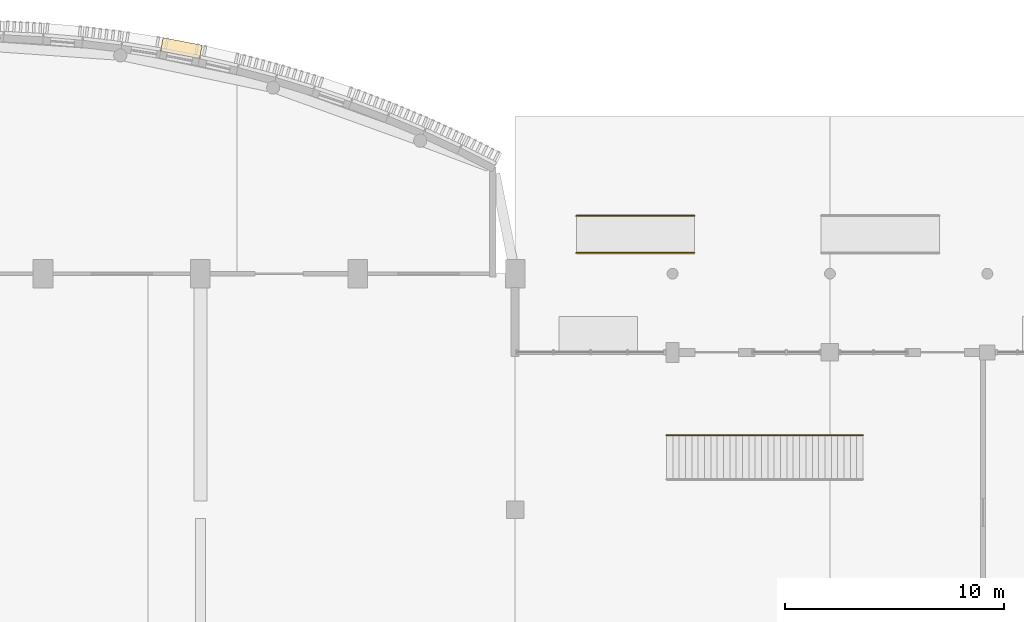
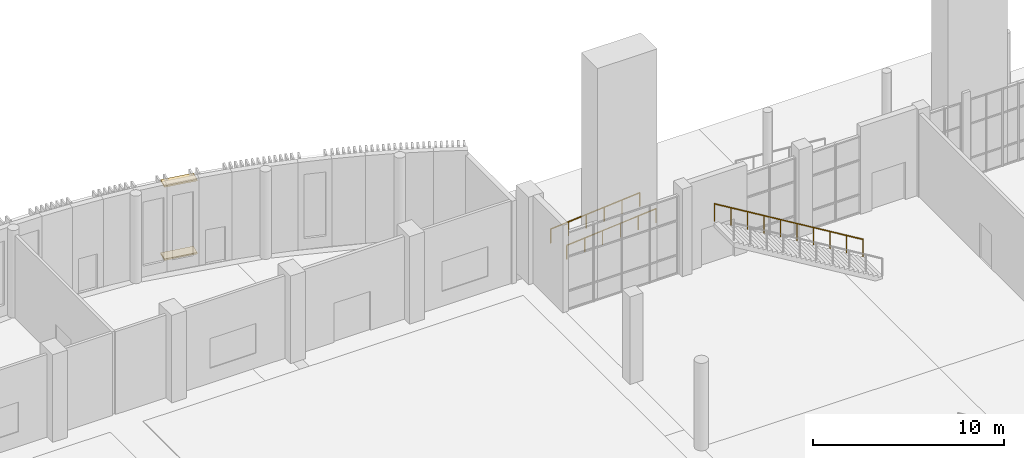
# One storey, part 80 of 85: 3 railings, 2 coverings.
"""IFC4 building model written with IfcOpenShell, lengths in metres."""

from ifc_helpers import new_model, si_unit, direction, frame, origin, origin_2d, place, context, subcontext, project, spatial, rectangle, circle, extrude, material, layer, layer_set, type_object, element, save


model = new_model("IFC4")

# Units and contexts
model_context = context("Model", 3, precision=1e-05, world=origin(), true_north=direction((0.0, 1.0)))
body_context = subcontext(model_context, "Body", "Model", "MODEL_VIEW")
ifc_project = project(units=[si_unit("LENGTHUNIT", "METRE"), si_unit("AREAUNIT", "SQUARE_METRE"), si_unit("VOLUMEUNIT", "CUBIC_METRE"), si_unit("PLANEANGLEUNIT", "RADIAN"), si_unit("MASSUNIT", "GRAM", prefix="KILO")], contexts=[model_context])

# Site, building, storey
site_placement = place(None, origin())
site = spatial("IfcSite", under=ifc_project, at=site_placement, CompositionType="ELEMENT")
building_placement = place(site_placement, origin())
building = spatial("IfcBuilding", under=site, at=building_placement, Name="Sardonyx Promenade Sports Hall", CompositionType="ELEMENT")
storey_placement = place(building_placement, origin())
storey = spatial("IfcBuildingStorey", under=building, at=storey_placement, Name="L00", CompositionType="ELEMENT", Elevation=0.0)

# Coverings
ifc_material_1 = material(Name="Glulam GL28h", Category="wood")
ifc_layer = layer(ifc_material_1, 0.110107421875)
ifc_layer_set = layer_set([ifc_layer], Name="Cov_Louvre_GL28h")
covering_type = type_object("IfcCoveringType", Name="Cov_Louvre_GL28h", PredefinedType="MOLDING", material=ifc_layer_set)
for number, where, z_axis, x_axis, name in (
    (1, (63.93017578125, 114.72412109375, 0.5), (0.0, 0.0, 1.0), (0.981929658139, -0.18924625879, 0.0), "Bowed louvre carrier rail L00 CH20 #1"),
    (2, (63.93017578125, 114.72412109375, 5.179931640625), (0.0, 0.0, 1.0), (0.981929658139, -0.18924625879, 0.0), "Bowed louvre carrier rail L00 CH20 #2"),
):
    element("IfcCovering", number, at=place(storey_placement, frame(where, z_axis=z_axis, x_axis=x_axis)), inside=storey, type_object=covering_type, Name=name, PredefinedType="MOLDING", context=body_context, shape_type="SweptSolid", body=[
        extrude(rectangle(XDim=1.820068359375, YDim=0.6201171875, at=origin_2d()), origin(), (0.0, 0.0, 1.0), 0.10009765625),
    ])

# Railings
ifc_material_2 = material(Name="Stainless steel Grade 316", Category="steel")
railing_type_1 = type_object("IfcRailingType", Name="Rail_Ext_Handrail_900", PredefinedType="HANDRAIL", material=ifc_material_2)
for number, where, name in (
    (3, (82.0, 105.35009765625, -0.449951171875), "Ramp handrail HR01 #1S"),
    (4, (82.0, 107.050048828125, -0.449951171875), "Ramp handrail HR01 #1N"),
):
    element("IfcRailing", number, at=place(storey_placement, frame(where)), inside=storey, type_object=railing_type_1, Name=name, PredefinedType="HANDRAIL", context=body_context, shape_type="SweptSolid", body=[
        extrude(circle(Radius=0.02392578125, at=origin_2d()), frame((0.0, 0.0, 0.8759765625), z_axis=(0.996546379678, 0.0, 0.083038022323), x_axis=(0.0, 1.0, 0.0)), (0.0, 0.0, 1.0), 5.418701171875),
        extrude(circle(Radius=0.02099609375, at=origin_2d()), origin(), (0.0, 0.0, 1.0), 0.851806640625),
        extrude(circle(Radius=0.02099609375, at=origin_2d()), frame((1.080078125, 0.0, 0.090087890625)), (0.0, 0.0, 1.0), 0.851806640625),
        extrude(circle(Radius=0.02099609375, at=origin_2d()), frame((2.159912109375, 0.0, 0.179931640625)), (0.0, 0.0, 1.0), 0.851806640625),
        extrude(circle(Radius=0.02099609375, at=origin_2d()), frame((3.239990234375, 0.0, 0.27001953125)), (0.0, 0.0, 1.0), 0.851806640625),
        extrude(circle(Radius=0.02099609375, at=origin_2d()), frame((4.31982421875, 0.0, 0.35986328125)), (0.0, 0.0, 1.0), 0.851806640625),
        extrude(circle(Radius=0.02099609375, at=origin_2d()), frame((5.39990234375, 0.0, 0.449951171875)), (0.0, 0.0, 1.0), 0.851806640625),
    ])
ifc_material_3 = material(Name="Powder-coated Steel S355JR", Category="steel")
railing_type_2 = type_object("IfcRailingType", Name="Rail_Int_Guard_1100", PredefinedType="GUARDRAIL", material=ifc_material_3)
railing_placement = place(storey_placement, frame((95.110107421875, 97.010009765625, 0.175048828125)))
element("IfcRailing", 5, at=railing_placement, inside=storey, type_object=railing_type_2, Name="Feature stair guard STF2 L", PredefinedType="GUARDRAIL", context=body_context, shape_type="SweptSolid", body=[
    extrude(circle(Radius=0.02392578125, at=origin_2d()), frame((0.0, 0.0, 1.09619140625), z_axis=(-0.85618535568, 0.0, 0.516668788218), x_axis=(0.0, -1.0, 0.0)), (0.0, 0.0, 1.0), 10.5),
    extrude(circle(Radius=0.02099609375, at=origin_2d()), origin(), (0.0, 0.0, 1.0), 1.072021484375),
    extrude(circle(Radius=0.02099609375, at=origin_2d()), frame((-0.998779296875, 0.0, 0.602783203125)), (0.0, 0.0, 1.0), 1.072021484375),
    extrude(circle(Radius=0.02099609375, at=origin_2d()), frame((-1.997802734375, 0.0, 1.20556640625)), (0.0, 0.0, 1.0), 1.072021484375),
    extrude(circle(Radius=0.02099609375, at=origin_2d()), frame((-2.99658203125, 0.0, 1.808349609375)), (0.0, 0.0, 1.0), 1.072021484375),
    extrude(circle(Radius=0.02099609375, at=origin_2d()), frame((-3.99560546875, 0.0, 2.4111328125)), (0.0, 0.0, 1.0), 1.072021484375),
    extrude(circle(Radius=0.02099609375, at=origin_2d()), frame((-4.994384765625, 0.0, 3.013916015625)), (0.0, 0.0, 1.0), 1.072021484375),
    extrude(circle(Radius=0.02099609375, at=origin_2d()), frame((-5.993408203125, 0.0, 3.61669921875)), (0.0, 0.0, 1.0), 1.072021484375),
    extrude(circle(Radius=0.02099609375, at=origin_2d()), frame((-6.9921875, 0.0, 4.219482421875)), (0.0, 0.0, 1.0), 1.072021484375),
    extrude(circle(Radius=0.02099609375, at=origin_2d()), frame((-7.9912109375, 0.0, 4.822265625)), (0.0, 0.0, 1.0), 1.072021484375),
    extrude(circle(Radius=0.02099609375, at=origin_2d()), frame((-8.989990234375, 0.0, 5.425048828125)), (0.0, 0.0, 1.0), 1.072021484375),
])

save(model, "model.ifc")
